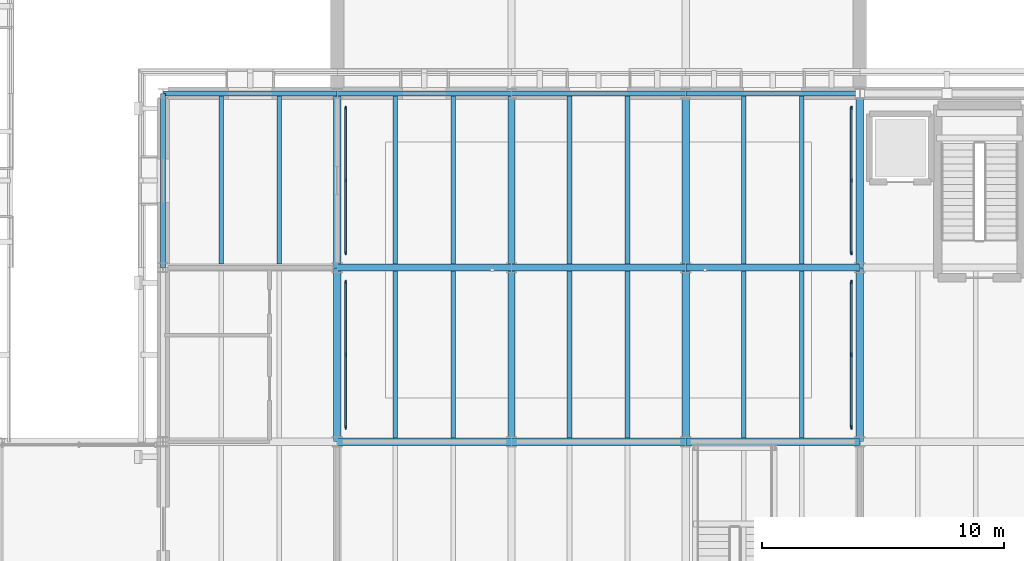
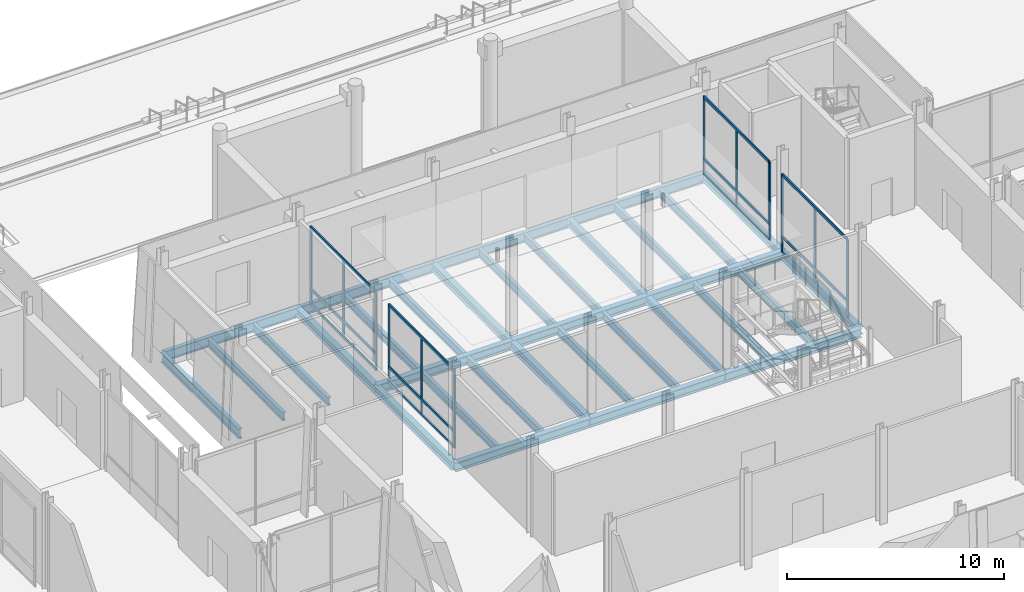
# One storey, part 34 of 120: 33 beams, 24 members, 4 elements without a shape of their own.
"""IFC4 building model written with IfcOpenShell, lengths in metres."""

import ifcopenshell
import ifcopenshell.guid

model = None  # the IFC model being written
_history = None  # IfcOwnerHistory: only IFC2X3 demands one
_inside = {}  # id of a spatial element -> (the spatial element, [elements in it])
_under = {}  # id of a project, library or spatial element -> (it, [spatial elements below it])
_declared = {}  # id of a project -> (the project, [libraries it declares])
_typed = {}  # id of a type object -> (the type object, [elements of that type])
_made_of = {}  # id of a material, layer set ... -> (it, [elements and type objects made of it])


def new_model(schema):
    """Start an empty IFC model of exactly this schema.

    Asked for "IFC4X3", IfcOpenShell would pick the latest addendum, in which some entities
    have other attributes; the version numbers below select the first issue.
    IFC2X3 requires an IfcOwnerHistory on every rooted entity: one is made here for all.
    """
    global model, _history
    if schema == "IFC4X3":
        model = ifcopenshell.file(schema_version=(4, 3, 0, 0))
    else:
        model = ifcopenshell.file(schema=schema)
    _inside.clear()
    _under.clear()
    _declared.clear()
    _typed.clear()
    _made_of.clear()
    _history = None
    if model.schema == "IFC2X3":
        org = make("IfcOrganization", Name="unknown")
        user = make(
            "IfcPersonAndOrganization",
            ThePerson=make("IfcPerson", FamilyName="unknown"),
            TheOrganization=org,
        )
        app = make(
            "IfcApplication",
            ApplicationDeveloper=org,
            Version="unknown",
            ApplicationFullName="unknown",
            ApplicationIdentifier="unknown",
        )
        _history = make(
            "IfcOwnerHistory",
            OwningUser=user,
            OwningApplication=app,
            ChangeAction="ADDED",
            CreationDate=0,
        )
    return model


def make(cls, **values):
    """One entity of the class cls with the attributes given. An attribute that is None is left unset."""
    return model.create_entity(
        cls, **{name: value for name, value in values.items() if value is not None}
    )


def rooted(cls, **values):
    """An entity with a GlobalId (a new one), such as an element, a storey or a relation."""
    return make(cls, GlobalId=ifcopenshell.guid.new(), OwnerHistory=_history, **values)


def si_unit(unit_type, name, prefix=None):
    """IfcSIUnit, for example si_unit("LENGTHUNIT", "METRE", prefix="MILLI")."""
    return make("IfcSIUnit", UnitType=unit_type, Prefix=prefix, Name=name)


def assignment(units):
    """IfcUnitAssignment: the units of a project."""
    return None if units is None else make("IfcUnitAssignment", Units=units)


def point(xyz):
    """IfcCartesianPoint."""
    return None if xyz is None else make("IfcCartesianPoint", Coordinates=xyz)


def direction(xyz):
    """IfcDirection."""
    return None if xyz is None else make("IfcDirection", DirectionRatios=xyz)


def frame(location, z_axis=None, x_axis=None):
    """IfcAxis2Placement3D, a coordinate frame: its origin and axes. An axis left out is left unset."""
    return make(
        "IfcAxis2Placement3D",
        Location=point(location),
        Axis=direction(z_axis),
        RefDirection=direction(x_axis),
    )


def frame_2d(location, x_axis=None):
    """IfcAxis2Placement2D, a coordinate frame in the plane: its origin and x axis."""
    return make(
        "IfcAxis2Placement2D", Location=point(location), RefDirection=direction(x_axis)
    )


def origin():
    """The frame at (0, 0, 0) with its axes left unset."""
    return frame((0.0, 0.0, 0.0))


def origin_2d():
    """The frame at (0, 0) in the plane with its x axis left unset."""
    return frame_2d((0.0, 0.0))


def place(relative_to, where):
    """IfcLocalPlacement: puts the frame where relative to a parent placement (None: the world)."""
    return make(
        "IfcLocalPlacement", PlacementRelTo=relative_to, RelativePlacement=where
    )


def context(
    kind, dimensions, precision=None, world=None, true_north=None, identifier=None
):
    """IfcGeometricRepresentationContext, for example the 3D "Model" context."""
    return make(
        "IfcGeometricRepresentationContext",
        ContextIdentifier=identifier,
        ContextType=kind,
        CoordinateSpaceDimension=dimensions,
        Precision=precision,
        WorldCoordinateSystem=world,
        TrueNorth=true_north,
    )


def subcontext(parent, identifier, kind, view, scale=None):
    """IfcGeometricRepresentationSubContext, for example "Body" below "Model"."""
    return make(
        "IfcGeometricRepresentationSubContext",
        ContextIdentifier=identifier,
        ContextType=kind,
        ParentContext=parent,
        TargetScale=scale,
        TargetView=view,
    )


def project(units=None, contexts=None):
    """IfcProject with its units and contexts."""
    return rooted(
        "IfcProject",
        Name="project",
        RepresentationContexts=contexts,
        UnitsInContext=assignment(units),
    )


def spatial(cls, under=None, at=None, **own):
    """A site, building, storey or space (cls), placed at a placement, below another one or the project."""
    s = rooted(cls, ObjectPlacement=at, **own)
    if under is not None:
        _under.setdefault(under.id(), (under, []))[1].append(s)
    return s


def profile(cls, at=None, kind="AREA", **sizes):
    """A parametric profile (cls). Its sizes go by their IFC names, for example OverallWidth=200.0."""
    return make(cls, ProfileType=kind, Position=at, **sizes)


def rectangle(**sizes):
    """IfcRectangleProfileDef."""
    return profile("IfcRectangleProfileDef", **sizes)


def i_section(**sizes):
    """IfcIShapeProfileDef."""
    return profile("IfcIShapeProfileDef", **sizes)


def extrude(swept, where, along, depth):
    """IfcExtrudedAreaSolid: the profile swept, set in the frame where, extruded along a direction by depth."""
    return make(
        "IfcExtrudedAreaSolid",
        SweptArea=swept,
        Position=where,
        ExtrudedDirection=direction(along),
        Depth=depth,
    )


def shape(context_of_items, identifier, shape_type, items):
    """IfcShapeRepresentation: the items that make up one representation, for example the "Body"."""
    return make(
        "IfcShapeRepresentation",
        ContextOfItems=context_of_items,
        RepresentationIdentifier=identifier,
        RepresentationType=shape_type,
        Items=items,
    )


def material(Name=None, Category=None):
    """IfcMaterial."""
    return make("IfcMaterial", Name=Name, Category=Category)


def layer(
    of_material, thickness, ventilated=None, Name=None, Category=None, Priority=None
):
    """IfcMaterialLayer: one layer of a wall or slab, of a material (None: an air gap)."""
    return make(
        "IfcMaterialLayer",
        Material=of_material,
        LayerThickness=thickness,
        IsVentilated=ventilated,
        Name=Name,
        Category=Category,
        Priority=Priority,
    )


def layer_set(layers, Name=None):
    """IfcMaterialLayerSet."""
    return make("IfcMaterialLayerSet", MaterialLayers=layers, LayerSetName=Name)


def material_profile(
    of_material, cross_section, Name=None, Category=None, Priority=None
):
    """IfcMaterialProfile: a cross section and its material."""
    return make(
        "IfcMaterialProfile",
        Name=Name,
        Material=of_material,
        Profile=cross_section,
        Priority=Priority,
        Category=Category,
    )


def profile_set(profiles, Name=None, composite=None):
    """IfcMaterialProfileSet."""
    return make(
        "IfcMaterialProfileSet",
        Name=Name,
        MaterialProfiles=profiles,
        CompositeProfile=composite,
    )


def made_of(thing, what):
    """Note that an element or type object is made of a material, layer set ...; save() writes the relation."""
    if what is not None:
        _made_of.setdefault(what.id(), (what, []))[1].append(thing)
    return thing


def type_object(cls, material=None, **own):
    """A type object (cls), such as IfcWallType, which elements share."""
    return made_of(rooted(cls, **own), material)


def element(
    cls,
    number,
    at=None,
    inside=None,
    cuts=None,
    type_object=None,
    material=None,
    context=None,
    identifier="Body",
    shape_type=None,
    held_by="IfcProductDefinitionShape",
    body=None,
    shapes=None,
    **own,
):
    """One element of the class cls, such as IfcWall. Its Tag is "e" and its number.

    at: its placement. inside: the storey or other place that contains it. cuts: it is an
    opening in that element (IfcRelVoidsElement). A single representation is given by context,
    identifier, shape_type and body (its items); several are given by shapes. held_by: the class
    of the entity that holds the representations. save() writes the other relations.
    """
    e = rooted(cls, Tag="e%d" % number, ObjectPlacement=at, **own)
    if body is not None:
        shapes = [shape(context, identifier, shape_type, body)]
    if shapes is not None:
        e.Representation = make(held_by, Representations=shapes)
    if inside is not None:
        _inside.setdefault(inside.id(), (inside, []))[1].append(e)
    if cuts is not None:
        rooted(
            "IfcRelVoidsElement", RelatingBuildingElement=cuts, RelatedOpeningElement=e
        )
    if type_object is not None:
        _typed.setdefault(type_object.id(), (type_object, []))[1].append(e)
    return made_of(e, material)


def aggregate(whole, parts):
    """IfcRelAggregates: a whole, such as a stair, and the parts it consists of."""
    return rooted("IfcRelAggregates", RelatingObject=whole, RelatedObjects=parts)


def save(model, path):
    """Write the relations noted so far, then the file.

    IfcRelAggregates (storeys below a building ...), IfcRelContainedInSpatialStructure (elements
    in a storey), IfcRelDefinesByType, IfcRelAssociatesMaterial and IfcRelDeclares: one each for
    every whole, place, type object, material and project.
    """
    for whole, parts in _under.values():
        aggregate(whole, parts)
    for where, things in _inside.values():
        rooted(
            "IfcRelContainedInSpatialStructure",
            RelatedElements=things,
            RelatingStructure=where,
        )
    for kind, things in _typed.values():
        rooted("IfcRelDefinesByType", RelatedObjects=things, RelatingType=kind)
    for what, things in _made_of.values():
        rooted("IfcRelAssociatesMaterial", RelatedObjects=things, RelatingMaterial=what)
    for by, libraries in _declared.values():
        rooted("IfcRelDeclares", RelatingContext=by, RelatedDefinitions=libraries)
    model.write(path)


model = new_model("IFC4")

# Units and contexts
model_context = context("Model", 3, precision=1e-05, world=origin(), true_north=direction((0.0, 1.0)))
body_context = subcontext(model_context, "Body", "Model", "MODEL_VIEW")
ifc_project = project(units=[si_unit("LENGTHUNIT", "METRE"), si_unit("AREAUNIT", "SQUARE_METRE"), si_unit("VOLUMEUNIT", "CUBIC_METRE"), si_unit("PLANEANGLEUNIT", "RADIAN"), si_unit("MASSUNIT", "GRAM", prefix="KILO")], contexts=[model_context])

# Site, building, storey
site_placement = place(None, origin())
site = spatial("IfcSite", under=ifc_project, at=site_placement, CompositionType="ELEMENT")
building_placement = place(site_placement, origin())
building = spatial("IfcBuilding", under=site, at=building_placement, Name="Narikvali Park Central Library", CompositionType="ELEMENT")
storey_placement = place(building_placement, origin())
storey = spatial("IfcBuildingStorey", under=building, at=storey_placement, Name="L00", CompositionType="ELEMENT", Elevation=0.0)

# Beams
ifc_material_1 = material(Name="Steel S355", Category="steel")
ifc_material_profile_1 = material_profile(ifc_material_1, i_section(OverallWidth=0.19189453125, OverallDepth=0.4560546875, WebThickness=0.010986328125, FlangeThickness=0.017578125, FilletRadius=0.02099609375, at=origin_2d()), Name="IPEO 450")
ifc_profile_set_1 = profile_set([ifc_material_profile_1], Name="Steel S355")
beam_type_1 = type_object("IfcBeamType", Name="Concourse Floor Joist IPEO450", PredefinedType="JOIST", material=ifc_profile_set_1)
for number, where, z_axis, x_axis, name in (
    (1, (67.199951171875, 86.550048828125, -0.548095703125), (0.0, 1.0, 0.0), (-1.0, 0.0, 0.0), "V1 L00 Composite Joist 1"),
    (2, (69.60009765625, 86.550048828125, -0.548095703125), (0.0, 1.0, 0.0), (-1.0, 0.0, 0.0), "V1 L00 Composite Joist 2"),
):
    element("IfcBeam", number, at=place(storey_placement, frame(where, z_axis=z_axis, x_axis=x_axis)), inside=storey, type_object=beam_type_1, Name=name, PredefinedType="JOIST", context=body_context, shape_type="SweptSolid", body=[
        extrude(i_section(OverallWidth=0.19189453125, OverallDepth=0.4560546875, WebThickness=0.010986328125, FlangeThickness=0.017578125, FilletRadius=0.02099609375, at=origin_2d()), origin(), (0.0, 0.0, 1.0), 6.945068359375),
    ])
for number, where, z_axis, x_axis, name in (
    (3, (74.39990234375, 79.35009765625, -0.548095703125), (0.0, 1.0, 0.0), (-1.0, 0.0, 0.0), "V1 L00 Composite Joist 1"),
    (4, (76.800048828125, 79.35009765625, -0.548095703125), (0.0, 1.0, 0.0), (-1.0, 0.0, 0.0), "V1 L00 Composite Joist 2"),
):
    element("IfcBeam", number, at=place(storey_placement, frame(where, z_axis=z_axis, x_axis=x_axis)), inside=storey, type_object=beam_type_1, Name=name, PredefinedType="JOIST", context=body_context, shape_type="SweptSolid", body=[
        extrude(i_section(OverallWidth=0.19189453125, OverallDepth=0.4560546875, WebThickness=0.010986328125, FlangeThickness=0.017578125, FilletRadius=0.02099609375, at=origin_2d()), origin(), (0.0, 0.0, 1.0), 6.89990234375),
    ])
for number, where, z_axis, x_axis, name in (
    (5, (74.39990234375, 86.550048828125, -0.548095703125), (0.0, 1.0, 0.0), (-1.0, 0.0, 0.0), "V1 L00 Composite Joist 1"),
    (6, (76.800048828125, 86.550048828125, -0.548095703125), (0.0, 1.0, 0.0), (-1.0, 0.0, 0.0), "V1 L00 Composite Joist 2"),
):
    element("IfcBeam", number, at=place(storey_placement, frame(where, z_axis=z_axis, x_axis=x_axis)), inside=storey, type_object=beam_type_1, Name=name, PredefinedType="JOIST", context=body_context, shape_type="SweptSolid", body=[
        extrude(i_section(OverallWidth=0.19189453125, OverallDepth=0.4560546875, WebThickness=0.010986328125, FlangeThickness=0.017578125, FilletRadius=0.02099609375, at=origin_2d()), origin(), (0.0, 0.0, 1.0), 6.945068359375),
    ])
for number, where, z_axis, x_axis, name in (
    (7, (81.60009765625, 79.35009765625, -0.548095703125), (0.0, 1.0, 0.0), (-1.0, 0.0, 0.0), "V1 L00 Composite Joist 1"),
    (8, (84.0, 79.35009765625, -0.548095703125), (0.0, 1.0, 0.0), (-1.0, 0.0, 0.0), "V1 L00 Composite Joist 2"),
):
    element("IfcBeam", number, at=place(storey_placement, frame(where, z_axis=z_axis, x_axis=x_axis)), inside=storey, type_object=beam_type_1, Name=name, PredefinedType="JOIST", context=body_context, shape_type="SweptSolid", body=[
        extrude(i_section(OverallWidth=0.19189453125, OverallDepth=0.4560546875, WebThickness=0.010986328125, FlangeThickness=0.017578125, FilletRadius=0.02099609375, at=origin_2d()), origin(), (0.0, 0.0, 1.0), 6.89990234375),
    ])
for number, where, z_axis, x_axis, name in (
    (9, (81.60009765625, 86.550048828125, -0.548095703125), (0.0, 1.0, 0.0), (-1.0, 0.0, 0.0), "V1 L00 Composite Joist 1"),
    (10, (84.0, 86.550048828125, -0.548095703125), (0.0, 1.0, 0.0), (-1.0, 0.0, 0.0), "V1 L00 Composite Joist 2"),
):
    element("IfcBeam", number, at=place(storey_placement, frame(where, z_axis=z_axis, x_axis=x_axis)), inside=storey, type_object=beam_type_1, Name=name, PredefinedType="JOIST", context=body_context, shape_type="SweptSolid", body=[
        extrude(i_section(OverallWidth=0.19189453125, OverallDepth=0.4560546875, WebThickness=0.010986328125, FlangeThickness=0.017578125, FilletRadius=0.02099609375, at=origin_2d()), origin(), (0.0, 0.0, 1.0), 6.945068359375),
    ])
for number, where, z_axis, x_axis, name in (
    (11, (88.800048828125, 79.35009765625, -0.548095703125), (0.0, 1.0, 0.0), (-1.0, 0.0, 0.0), "V1 L00 Composite Joist 1"),
    (12, (91.199951171875, 79.35009765625, -0.548095703125), (0.0, 1.0, 0.0), (-1.0, 0.0, 0.0), "V1 L00 Composite Joist 2"),
):
    element("IfcBeam", number, at=place(storey_placement, frame(where, z_axis=z_axis, x_axis=x_axis)), inside=storey, type_object=beam_type_1, Name=name, PredefinedType="JOIST", context=body_context, shape_type="SweptSolid", body=[
        extrude(i_section(OverallWidth=0.19189453125, OverallDepth=0.4560546875, WebThickness=0.010986328125, FlangeThickness=0.017578125, FilletRadius=0.02099609375, at=origin_2d()), origin(), (0.0, 0.0, 1.0), 6.89990234375),
    ])
for number, where, z_axis, x_axis, name in (
    (13, (88.800048828125, 86.550048828125, -0.548095703125), (0.0, 1.0, 0.0), (-1.0, 0.0, 0.0), "V1 L00 Composite Joist 1"),
    (14, (91.199951171875, 86.550048828125, -0.548095703125), (0.0, 1.0, 0.0), (-1.0, 0.0, 0.0), "V1 L00 Composite Joist 2"),
):
    element("IfcBeam", number, at=place(storey_placement, frame(where, z_axis=z_axis, x_axis=x_axis)), inside=storey, type_object=beam_type_1, Name=name, PredefinedType="JOIST", context=body_context, shape_type="SweptSolid", body=[
        extrude(i_section(OverallWidth=0.19189453125, OverallDepth=0.4560546875, WebThickness=0.010986328125, FlangeThickness=0.017578125, FilletRadius=0.02099609375, at=origin_2d()), origin(), (0.0, 0.0, 1.0), 6.945068359375),
    ])

# Curtain wall, members
ifc_material_2 = material(Name="Anodised Bronze Aluminium", Category="aluminium")
ifc_layer = layer(ifc_material_2, 0.219970703125, Name="Anodised Bronze Aluminium")
ifc_layer_set = layer_set([ifc_layer], Name="Anodised Bronze Aluminium")
curtain_wall_type = type_object("IfcCurtainWallType", Name="Atrium Tall Curtain Wall System", PredefinedType="NOTDEFINED", material=ifc_layer_set)
curtain_wall_1_placement = place(storey_placement, origin())
curtain_wall_1 = element("IfcCurtainWall", 15, at=curtain_wall_1_placement, inside=storey, type_object=curtain_wall_type, Name="Atrium Tall Curtain Wall System CW-GAL-V1-L00-FOY-W1", PredefinedType="NOTDEFINED")
ifc_material_profile_2 = material_profile(ifc_material_2, rectangle(XDim=0.06005859375, YDim=0.14990234375, at=origin_2d()), Name="CW MULLION 60x150")
ifc_profile_set_2 = profile_set([ifc_material_profile_2], Name="Anodised Bronze Aluminium")
member_type_1 = type_object("IfcMemberType", Name="Curtain Wall Mullion 60x150", PredefinedType="MULLION", material=ifc_profile_set_2)
member_1_placement = place(storey_placement, frame((72.35009765625, 79.800048828125, -0.010009765625), z_axis=(0.0, 0.0, 1.0), x_axis=(1.0, 0.0, 0.0)))
member_1 = element("IfcMember", 16, at=member_1_placement, type_object=member_type_1, Name="CW-GAL-V1-L00-FOY-W1 Mullion 00", PredefinedType="MULLION", context=body_context, shape_type="SweptSolid", body=[
    extrude(rectangle(XDim=0.06005859375, YDim=0.14990234375, at=origin_2d()), origin(), (0.0, 0.0, 1.0), 4.409912109375),
])
member_2_placement = place(storey_placement, frame((72.35009765625, 82.800048828125, -0.010009765625), z_axis=(0.0, 0.0, 1.0), x_axis=(1.0, 0.0, 0.0)))
member_2 = element("IfcMember", 17, at=member_2_placement, type_object=member_type_1, Name="CW-GAL-V1-L00-FOY-W1 Mullion 01", PredefinedType="MULLION", context=body_context, shape_type="SweptSolid", body=[
    extrude(rectangle(XDim=0.06005859375, YDim=0.14990234375, at=origin_2d()), origin(), (0.0, 0.0, 1.0), 4.409912109375),
])
member_3_placement = place(storey_placement, frame((72.35009765625, 85.800048828125, -0.010009765625), z_axis=(0.0, 0.0, 1.0), x_axis=(1.0, 0.0, 0.0)))
member_3 = element("IfcMember", 18, at=member_3_placement, type_object=member_type_1, Name="CW-GAL-V1-L00-FOY-W1 Mullion 02", PredefinedType="MULLION", context=body_context, shape_type="SweptSolid", body=[
    extrude(rectangle(XDim=0.06005859375, YDim=0.14990234375, at=origin_2d()), origin(), (0.0, 0.0, 1.0), 4.409912109375),
])

curtain_wall_2_placement = place(storey_placement, origin())
curtain_wall_2 = element("IfcCurtainWall", 19, at=curtain_wall_2_placement, inside=storey, type_object=curtain_wall_type, Name="Atrium Tall Curtain Wall System CW-GAL-V1-L00-FOY-W2", PredefinedType="NOTDEFINED")
member_4_placement = place(storey_placement, frame((72.35009765625, 87.0, -0.010009765625), z_axis=(0.0, 0.0, 1.0), x_axis=(1.0, 0.0, 0.0)))
member_4 = element("IfcMember", 20, at=member_4_placement, type_object=member_type_1, Name="CW-GAL-V1-L00-FOY-W2 Mullion 00", PredefinedType="MULLION", context=body_context, shape_type="SweptSolid", body=[
    extrude(rectangle(XDim=0.06005859375, YDim=0.14990234375, at=origin_2d()), origin(), (0.0, 0.0, 1.0), 4.409912109375),
])
member_5_placement = place(storey_placement, frame((72.35009765625, 90.0, -0.010009765625), z_axis=(0.0, 0.0, 1.0), x_axis=(1.0, 0.0, 0.0)))
member_5 = element("IfcMember", 21, at=member_5_placement, type_object=member_type_1, Name="CW-GAL-V1-L00-FOY-W2 Mullion 01", PredefinedType="MULLION", context=body_context, shape_type="SweptSolid", body=[
    extrude(rectangle(XDim=0.06005859375, YDim=0.14990234375, at=origin_2d()), origin(), (0.0, 0.0, 1.0), 4.409912109375),
])
member_6_placement = place(storey_placement, frame((72.35009765625, 93.0, -0.010009765625), z_axis=(0.0, 0.0, 1.0), x_axis=(1.0, 0.0, 0.0)))
member_6 = element("IfcMember", 22, at=member_6_placement, type_object=member_type_1, Name="CW-GAL-V1-L00-FOY-W2 Mullion 02", PredefinedType="MULLION", context=body_context, shape_type="SweptSolid", body=[
    extrude(rectangle(XDim=0.06005859375, YDim=0.14990234375, at=origin_2d()), origin(), (0.0, 0.0, 1.0), 4.409912109375),
])

curtain_wall_3_placement = place(storey_placement, origin())
curtain_wall_3 = element("IfcCurtainWall", 23, at=curtain_wall_3_placement, inside=storey, type_object=curtain_wall_type, Name="Atrium Tall Curtain Wall System CW-GAL-V1-L00-FOY-E1", PredefinedType="NOTDEFINED")
member_7_placement = place(storey_placement, frame((93.25, 79.800048828125, -0.010009765625), z_axis=(0.0, 0.0, 1.0), x_axis=(1.0, 0.0, 0.0)))
member_7 = element("IfcMember", 24, at=member_7_placement, type_object=member_type_1, Name="CW-GAL-V1-L00-FOY-E1 Mullion 00", PredefinedType="MULLION", context=body_context, shape_type="SweptSolid", body=[
    extrude(rectangle(XDim=0.06005859375, YDim=0.14990234375, at=origin_2d()), origin(), (0.0, 0.0, 1.0), 4.409912109375),
])
member_8_placement = place(storey_placement, frame((93.25, 82.800048828125, -0.010009765625), z_axis=(0.0, 0.0, 1.0), x_axis=(1.0, 0.0, 0.0)))
member_8 = element("IfcMember", 25, at=member_8_placement, type_object=member_type_1, Name="CW-GAL-V1-L00-FOY-E1 Mullion 01", PredefinedType="MULLION", context=body_context, shape_type="SweptSolid", body=[
    extrude(rectangle(XDim=0.06005859375, YDim=0.14990234375, at=origin_2d()), origin(), (0.0, 0.0, 1.0), 4.409912109375),
])
member_9_placement = place(storey_placement, frame((93.25, 85.800048828125, -0.010009765625), z_axis=(0.0, 0.0, 1.0), x_axis=(1.0, 0.0, 0.0)))
member_9 = element("IfcMember", 26, at=member_9_placement, type_object=member_type_1, Name="CW-GAL-V1-L00-FOY-E1 Mullion 02", PredefinedType="MULLION", context=body_context, shape_type="SweptSolid", body=[
    extrude(rectangle(XDim=0.06005859375, YDim=0.14990234375, at=origin_2d()), origin(), (0.0, 0.0, 1.0), 4.409912109375),
])

curtain_wall_4_placement = place(storey_placement, origin())
curtain_wall_4 = element("IfcCurtainWall", 27, at=curtain_wall_4_placement, inside=storey, type_object=curtain_wall_type, Name="Atrium Tall Curtain Wall System CW-GAL-V1-L00-FOY-E2", PredefinedType="NOTDEFINED")
member_10_placement = place(storey_placement, frame((93.25, 87.0, -0.010009765625), z_axis=(0.0, 0.0, 1.0), x_axis=(1.0, 0.0, 0.0)))
member_10 = element("IfcMember", 28, at=member_10_placement, type_object=member_type_1, Name="CW-GAL-V1-L00-FOY-E2 Mullion 00", PredefinedType="MULLION", context=body_context, shape_type="SweptSolid", body=[
    extrude(rectangle(XDim=0.06005859375, YDim=0.14990234375, at=origin_2d()), origin(), (0.0, 0.0, 1.0), 4.409912109375),
])
member_11_placement = place(storey_placement, frame((93.25, 90.0, -0.010009765625), z_axis=(0.0, 0.0, 1.0), x_axis=(1.0, 0.0, 0.0)))
member_11 = element("IfcMember", 29, at=member_11_placement, type_object=member_type_1, Name="CW-GAL-V1-L00-FOY-E2 Mullion 01", PredefinedType="MULLION", context=body_context, shape_type="SweptSolid", body=[
    extrude(rectangle(XDim=0.06005859375, YDim=0.14990234375, at=origin_2d()), origin(), (0.0, 0.0, 1.0), 4.409912109375),
])
member_12_placement = place(storey_placement, frame((93.25, 93.0, -0.010009765625), z_axis=(0.0, 0.0, 1.0), x_axis=(1.0, 0.0, 0.0)))
member_12 = element("IfcMember", 30, at=member_12_placement, type_object=member_type_1, Name="CW-GAL-V1-L00-FOY-E2 Mullion 02", PredefinedType="MULLION", context=body_context, shape_type="SweptSolid", body=[
    extrude(rectangle(XDim=0.06005859375, YDim=0.14990234375, at=origin_2d()), origin(), (0.0, 0.0, 1.0), 4.409912109375),
])

# Member
ifc_material_profile_3 = material_profile(ifc_material_2, rectangle(XDim=0.070068359375, YDim=0.159912109375, at=origin_2d()), Name="CW TRANSOM 70x160")
ifc_profile_set_3 = profile_set([ifc_material_profile_3], Name="Anodised Bronze Aluminium")
member_type_2 = type_object("IfcMemberType", Name="Curtain Wall Transom 70x160", PredefinedType="USERDEFINED", material=ifc_profile_set_3)
member_13_placement = place(storey_placement, frame((72.35009765625, 79.800048828125, 0.030029296875), z_axis=(0.0, 1.0, 0.0), x_axis=(-1.0, 0.0, 0.0)))
member_13 = element("IfcMember", 31, at=member_13_placement, type_object=member_type_2, Name="CW-GAL-V1-L00-FOY-W1 Transom 00", ObjectType="TRANSOM", PredefinedType="USERDEFINED", context=body_context, shape_type="SweptSolid", body=[
    extrude(rectangle(XDim=0.070068359375, YDim=0.159912109375, at=origin_2d()), origin(), (0.0, 0.0, 1.0), 6.0),
])

member_14_placement = place(storey_placement, frame((72.35009765625, 79.800048828125, 0.89990234375), z_axis=(0.0, 1.0, 0.0), x_axis=(-1.0, 0.0, 0.0)))
member_14 = element("IfcMember", 32, at=member_14_placement, type_object=member_type_2, Name="CW-GAL-V1-L00-FOY-W1 Transom 01", ObjectType="TRANSOM", PredefinedType="USERDEFINED", context=body_context, shape_type="SweptSolid", body=[
    extrude(rectangle(XDim=0.070068359375, YDim=0.159912109375, at=origin_2d()), origin(), (0.0, 0.0, 1.0), 6.0),
])

member_15_placement = place(storey_placement, frame((72.35009765625, 79.800048828125, 4.3701171875), z_axis=(0.0, 1.0, 0.0), x_axis=(-1.0, 0.0, 0.0)))
member_15 = element("IfcMember", 33, at=member_15_placement, type_object=member_type_2, Name="CW-GAL-V1-L00-FOY-W1 Transom 02", ObjectType="TRANSOM", PredefinedType="USERDEFINED", context=body_context, shape_type="SweptSolid", body=[
    extrude(rectangle(XDim=0.070068359375, YDim=0.159912109375, at=origin_2d()), origin(), (0.0, 0.0, 1.0), 6.0),
])

aggregate(curtain_wall_1, [member_1, member_2, member_3, member_13, member_14, member_15])

member_16_placement = place(storey_placement, frame((72.35009765625, 87.0, 0.030029296875), z_axis=(0.0, 1.0, 0.0), x_axis=(-1.0, 0.0, 0.0)))
member_16 = element("IfcMember", 34, at=member_16_placement, type_object=member_type_2, Name="CW-GAL-V1-L00-FOY-W2 Transom 00", ObjectType="TRANSOM", PredefinedType="USERDEFINED", context=body_context, shape_type="SweptSolid", body=[
    extrude(rectangle(XDim=0.070068359375, YDim=0.159912109375, at=origin_2d()), origin(), (0.0, 0.0, 1.0), 6.0),
])

member_17_placement = place(storey_placement, frame((72.35009765625, 87.0, 0.89990234375), z_axis=(0.0, 1.0, 0.0), x_axis=(-1.0, 0.0, 0.0)))
member_17 = element("IfcMember", 35, at=member_17_placement, type_object=member_type_2, Name="CW-GAL-V1-L00-FOY-W2 Transom 01", ObjectType="TRANSOM", PredefinedType="USERDEFINED", context=body_context, shape_type="SweptSolid", body=[
    extrude(rectangle(XDim=0.070068359375, YDim=0.159912109375, at=origin_2d()), origin(), (0.0, 0.0, 1.0), 6.0),
])

member_18_placement = place(storey_placement, frame((72.35009765625, 87.0, 4.3701171875), z_axis=(0.0, 1.0, 0.0), x_axis=(-1.0, 0.0, 0.0)))
member_18 = element("IfcMember", 36, at=member_18_placement, type_object=member_type_2, Name="CW-GAL-V1-L00-FOY-W2 Transom 02", ObjectType="TRANSOM", PredefinedType="USERDEFINED", context=body_context, shape_type="SweptSolid", body=[
    extrude(rectangle(XDim=0.070068359375, YDim=0.159912109375, at=origin_2d()), origin(), (0.0, 0.0, 1.0), 6.0),
])

aggregate(curtain_wall_2, [member_4, member_5, member_6, member_16, member_17, member_18])

member_19_placement = place(storey_placement, frame((93.25, 79.800048828125, 0.030029296875), z_axis=(0.0, 1.0, 0.0), x_axis=(-1.0, 0.0, 0.0)))
member_19 = element("IfcMember", 37, at=member_19_placement, type_object=member_type_2, Name="CW-GAL-V1-L00-FOY-E1 Transom 00", ObjectType="TRANSOM", PredefinedType="USERDEFINED", context=body_context, shape_type="SweptSolid", body=[
    extrude(rectangle(XDim=0.070068359375, YDim=0.159912109375, at=origin_2d()), origin(), (0.0, 0.0, 1.0), 6.0),
])

member_20_placement = place(storey_placement, frame((93.25, 79.800048828125, 0.89990234375), z_axis=(0.0, 1.0, 0.0), x_axis=(-1.0, 0.0, 0.0)))
member_20 = element("IfcMember", 38, at=member_20_placement, type_object=member_type_2, Name="CW-GAL-V1-L00-FOY-E1 Transom 01", ObjectType="TRANSOM", PredefinedType="USERDEFINED", context=body_context, shape_type="SweptSolid", body=[
    extrude(rectangle(XDim=0.070068359375, YDim=0.159912109375, at=origin_2d()), origin(), (0.0, 0.0, 1.0), 6.0),
])

member_21_placement = place(storey_placement, frame((93.25, 79.800048828125, 4.3701171875), z_axis=(0.0, 1.0, 0.0), x_axis=(-1.0, 0.0, 0.0)))
member_21 = element("IfcMember", 39, at=member_21_placement, type_object=member_type_2, Name="CW-GAL-V1-L00-FOY-E1 Transom 02", ObjectType="TRANSOM", PredefinedType="USERDEFINED", context=body_context, shape_type="SweptSolid", body=[
    extrude(rectangle(XDim=0.070068359375, YDim=0.159912109375, at=origin_2d()), origin(), (0.0, 0.0, 1.0), 6.0),
])

aggregate(curtain_wall_3, [member_7, member_8, member_9, member_19, member_20, member_21])

member_22_placement = place(storey_placement, frame((93.25, 87.0, 0.030029296875), z_axis=(0.0, 1.0, 0.0), x_axis=(-1.0, 0.0, 0.0)))
member_22 = element("IfcMember", 40, at=member_22_placement, type_object=member_type_2, Name="CW-GAL-V1-L00-FOY-E2 Transom 00", ObjectType="TRANSOM", PredefinedType="USERDEFINED", context=body_context, shape_type="SweptSolid", body=[
    extrude(rectangle(XDim=0.070068359375, YDim=0.159912109375, at=origin_2d()), origin(), (0.0, 0.0, 1.0), 6.0),
])

member_23_placement = place(storey_placement, frame((93.25, 87.0, 0.89990234375), z_axis=(0.0, 1.0, 0.0), x_axis=(-1.0, 0.0, 0.0)))
member_23 = element("IfcMember", 41, at=member_23_placement, type_object=member_type_2, Name="CW-GAL-V1-L00-FOY-E2 Transom 01", ObjectType="TRANSOM", PredefinedType="USERDEFINED", context=body_context, shape_type="SweptSolid", body=[
    extrude(rectangle(XDim=0.070068359375, YDim=0.159912109375, at=origin_2d()), origin(), (0.0, 0.0, 1.0), 6.0),
])

member_24_placement = place(storey_placement, frame((93.25, 87.0, 4.3701171875), z_axis=(0.0, 1.0, 0.0), x_axis=(-1.0, 0.0, 0.0)))
member_24 = element("IfcMember", 42, at=member_24_placement, type_object=member_type_2, Name="CW-GAL-V1-L00-FOY-E2 Transom 02", ObjectType="TRANSOM", PredefinedType="USERDEFINED", context=body_context, shape_type="SweptSolid", body=[
    extrude(rectangle(XDim=0.070068359375, YDim=0.159912109375, at=origin_2d()), origin(), (0.0, 0.0, 1.0), 6.0),
])

aggregate(curtain_wall_4, [member_10, member_11, member_12, member_22, member_23, member_24])

# Beams
ifc_material_profile_4 = material_profile(ifc_material_1, i_section(OverallWidth=0.2099609375, OverallDepth=0.550048828125, WebThickness=0.010986328125, FlangeThickness=0.01708984375, FilletRadius=0.02392578125, at=origin_2d()), Name="IPE 550")
ifc_profile_set_4 = profile_set([ifc_material_profile_4], Name="Steel S355")
beam_type_2 = type_object("IfcBeamType", Name="Perimeter Spandrel IPE550", PredefinedType="SPANDREL", material=ifc_profile_set_4)
for number, where, z_axis, x_axis, name in (
    (43, (64.80810546875, 93.60009765625, -0.594970703125), (1.0, 0.0, 0.0), (0.0, 1.0, 0.0), "V1 L00 Girder X"),
    (44, (72.008056640625, 93.60009765625, -0.594970703125), (1.0, 0.0, 0.0), (0.0, 1.0, 0.0), "V1 L00 Girder X"),
):
    element("IfcBeam", number, at=place(storey_placement, frame(where, z_axis=z_axis, x_axis=x_axis)), inside=storey, type_object=beam_type_2, Name=name, PredefinedType="SPANDREL", context=body_context, shape_type="SweptSolid", body=[
        extrude(i_section(OverallWidth=0.2099609375, OverallDepth=0.550048828125, WebThickness=0.010986328125, FlangeThickness=0.01708984375, FilletRadius=0.02392578125, at=origin_2d()), origin(), (0.0, 0.0, 1.0), 7.183837890625),
    ])
for number, where, z_axis, x_axis, name in (
    (45, (79.2080078125, 93.60009765625, -0.594970703125), (1.0, 0.0, 0.0), (0.0, 1.0, 0.0), "V1 L00 Girder X"),
    (46, (86.407958984375, 93.60009765625, -0.594970703125), (1.0, 0.0, 0.0), (0.0, 1.0, 0.0), "V1 L00 Girder X"),
    (47, (64.800048828125, 86.407958984375, -0.594970703125), (0.0, 1.0, 0.0), (-1.0, 0.0, 0.0), "V1 L00 Girder Y"),
):
    element("IfcBeam", number, at=place(storey_placement, frame(where, z_axis=z_axis, x_axis=x_axis)), inside=storey, type_object=beam_type_2, Name=name, PredefinedType="SPANDREL", context=body_context, shape_type="SweptSolid", body=[
        extrude(i_section(OverallWidth=0.2099609375, OverallDepth=0.550048828125, WebThickness=0.010986328125, FlangeThickness=0.01708984375, FilletRadius=0.02392578125, at=origin_2d()), origin(), (0.0, 0.0, 1.0), 7.18408203125),
    ])
ifc_material_profile_5 = material_profile(ifc_material_1, i_section(OverallWidth=0.300048828125, OverallDepth=0.43994140625, WebThickness=0.011474609375, FlangeThickness=0.02099609375, FilletRadius=0.027099609375, at=origin_2d()), Name="HEA 450")
ifc_profile_set_5 = profile_set([ifc_material_profile_5], Name="Steel S355")
beam_type_3 = type_object("IfcBeamType", Name="Primary Girder HEA450", PredefinedType="BEAM", material=ifc_profile_set_5)
for number, where, z_axis, x_axis, name in (
    (48, (72.0, 79.2080078125, -0.5400390625), (0.0, 1.0, 0.0), (-1.0, 0.0, 0.0), "V1 L00 Girder Y"),
    (49, (72.0, 86.407958984375, -0.5400390625), (0.0, 1.0, 0.0), (-1.0, 0.0, 0.0), "V1 L00 Girder Y"),
    (50, (79.199951171875, 79.2080078125, -0.5400390625), (0.0, 1.0, 0.0), (-1.0, 0.0, 0.0), "V1 L00 Girder Y"),
    (51, (79.199951171875, 86.407958984375, -0.5400390625), (0.0, 1.0, 0.0), (-1.0, 0.0, 0.0), "V1 L00 Girder Y"),
    (52, (86.39990234375, 79.2080078125, -0.5400390625), (0.0, 1.0, 0.0), (-1.0, 0.0, 0.0), "V1 L00 Girder Y"),
    (53, (86.39990234375, 86.407958984375, -0.5400390625), (0.0, 1.0, 0.0), (-1.0, 0.0, 0.0), "V1 L00 Girder Y"),
    (54, (93.60009765625, 79.2080078125, -0.5400390625), (0.0, 1.0, 0.0), (-1.0, 0.0, 0.0), "V1 L00 Girder Y"),
    (55, (93.60009765625, 86.407958984375, -0.5400390625), (0.0, 1.0, 0.0), (-1.0, 0.0, 0.0), "V1 L00 Girder Y"),
):
    element("IfcBeam", number, at=place(storey_placement, frame(where, z_axis=z_axis, x_axis=x_axis)), inside=storey, type_object=beam_type_3, Name=name, PredefinedType="BEAM", context=body_context, shape_type="SweptSolid", body=[
        extrude(i_section(OverallWidth=0.300048828125, OverallDepth=0.43994140625, WebThickness=0.011474609375, FlangeThickness=0.02099609375, FilletRadius=0.027099609375, at=origin_2d()), origin(), (0.0, 0.0, 1.0), 7.18408203125),
    ])
ifc_material_profile_6 = material_profile(ifc_material_1, i_section(OverallWidth=0.300048828125, OverallDepth=0.5, WebThickness=0.014404296875, FlangeThickness=0.028076171875, FilletRadius=0.027099609375, at=origin_2d()), Name="HEB 500")
ifc_profile_set_6 = profile_set([ifc_material_profile_6], Name="Steel S355")
beam_type_4 = type_object("IfcBeamType", Name="Reading Void Girder HEB500", PredefinedType="BEAM", material=ifc_profile_set_6)
beam_1_placement = place(storey_placement, frame((72.008056640625, 79.199951171875, -0.570068359375), z_axis=(1.0, 0.0, 0.0), x_axis=(0.0, 1.0, 0.0)))
element("IfcBeam", 56, at=beam_1_placement, inside=storey, type_object=beam_type_4, Name="V1 L00 Girder X", PredefinedType="BEAM", context=body_context, shape_type="SweptSolid", body=[
    extrude(i_section(OverallWidth=0.300048828125, OverallDepth=0.5, WebThickness=0.014404296875, FlangeThickness=0.028076171875, FilletRadius=0.027099609375, at=origin_2d()), origin(), (0.0, 0.0, 1.0), 7.183837890625),
])
for number, where, z_axis, x_axis, name in (
    (57, (79.2080078125, 79.199951171875, -0.570068359375), (1.0, 0.0, 0.0), (0.0, 1.0, 0.0), "V1 L00 Girder X"),
    (58, (86.407958984375, 79.199951171875, -0.570068359375), (1.0, 0.0, 0.0), (0.0, 1.0, 0.0), "V1 L00 Girder X"),
):
    element("IfcBeam", number, at=place(storey_placement, frame(where, z_axis=z_axis, x_axis=x_axis)), inside=storey, type_object=beam_type_4, Name=name, PredefinedType="BEAM", context=body_context, shape_type="SweptSolid", body=[
        extrude(i_section(OverallWidth=0.300048828125, OverallDepth=0.5, WebThickness=0.014404296875, FlangeThickness=0.028076171875, FilletRadius=0.027099609375, at=origin_2d()), origin(), (0.0, 0.0, 1.0), 7.18408203125),
    ])
beam_2_placement = place(storey_placement, frame((72.008056640625, 86.39990234375, -0.570068359375), z_axis=(1.0, 0.0, 0.0), x_axis=(0.0, 1.0, 0.0)))
element("IfcBeam", 59, at=beam_2_placement, inside=storey, type_object=beam_type_4, Name="V1 L00 Girder X", PredefinedType="BEAM", context=body_context, shape_type="SweptSolid", body=[
    extrude(i_section(OverallWidth=0.300048828125, OverallDepth=0.5, WebThickness=0.014404296875, FlangeThickness=0.028076171875, FilletRadius=0.027099609375, at=origin_2d()), origin(), (0.0, 0.0, 1.0), 7.183837890625),
])
for number, where, z_axis, x_axis, name in (
    (60, (79.2080078125, 86.39990234375, -0.570068359375), (1.0, 0.0, 0.0), (0.0, 1.0, 0.0), "V1 L00 Girder X"),
    (61, (86.407958984375, 86.39990234375, -0.570068359375), (1.0, 0.0, 0.0), (0.0, 1.0, 0.0), "V1 L00 Girder X"),
):
    element("IfcBeam", number, at=place(storey_placement, frame(where, z_axis=z_axis, x_axis=x_axis)), inside=storey, type_object=beam_type_4, Name=name, PredefinedType="BEAM", context=body_context, shape_type="SweptSolid", body=[
        extrude(i_section(OverallWidth=0.300048828125, OverallDepth=0.5, WebThickness=0.014404296875, FlangeThickness=0.028076171875, FilletRadius=0.027099609375, at=origin_2d()), origin(), (0.0, 0.0, 1.0), 7.18408203125),
    ])

save(model, "model.ifc")
